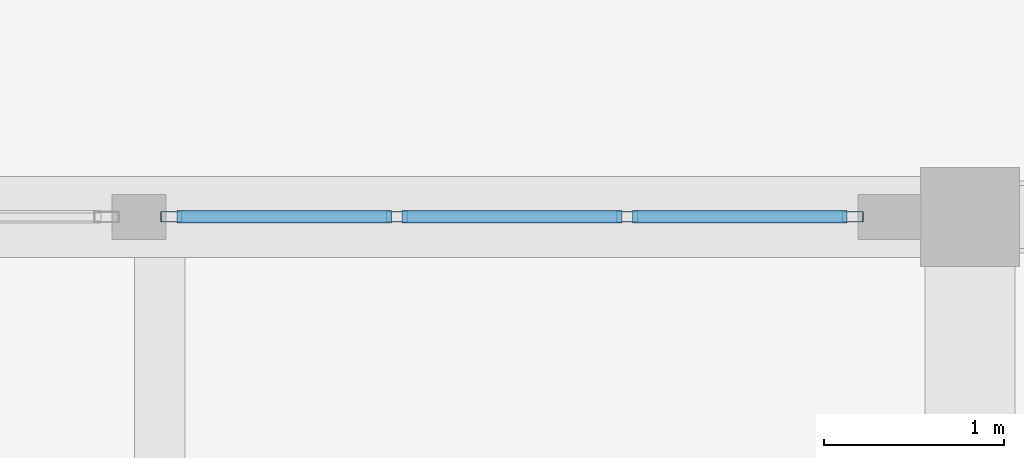
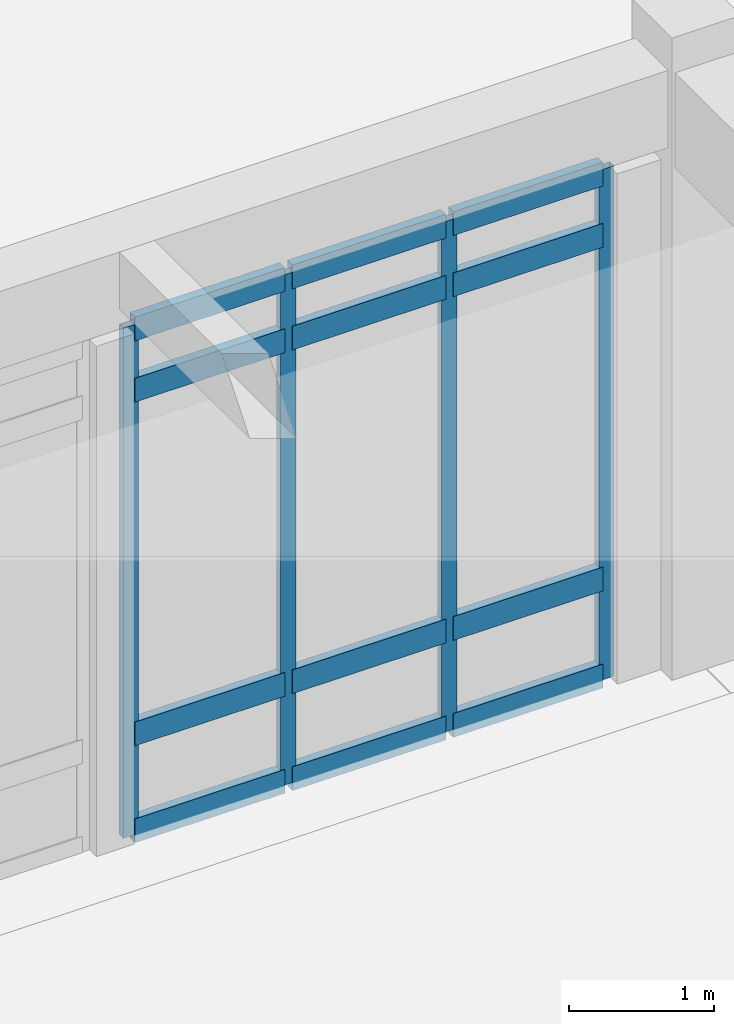
# One storey, part 21 of 138: 16 members, 1 element without a shape of its own.
"""IFC4 building model written with IfcOpenShell, lengths in metres."""

import ifcopenshell
import ifcopenshell.guid

model = None  # the IFC model being written
_history = None  # IfcOwnerHistory: only IFC2X3 demands one
_inside = {}  # id of a spatial element -> (the spatial element, [elements in it])
_under = {}  # id of a project, library or spatial element -> (it, [spatial elements below it])
_declared = {}  # id of a project -> (the project, [libraries it declares])
_typed = {}  # id of a type object -> (the type object, [elements of that type])
_made_of = {}  # id of a material, layer set ... -> (it, [elements and type objects made of it])


def new_model(schema):
    """Start an empty IFC model of exactly this schema.

    Asked for "IFC4X3", IfcOpenShell would pick the latest addendum, in which some entities
    have other attributes; the version numbers below select the first issue.
    IFC2X3 requires an IfcOwnerHistory on every rooted entity: one is made here for all.
    """
    global model, _history
    if schema == "IFC4X3":
        model = ifcopenshell.file(schema_version=(4, 3, 0, 0))
    else:
        model = ifcopenshell.file(schema=schema)
    _inside.clear()
    _under.clear()
    _declared.clear()
    _typed.clear()
    _made_of.clear()
    _history = None
    if model.schema == "IFC2X3":
        org = make("IfcOrganization", Name="unknown")
        user = make(
            "IfcPersonAndOrganization",
            ThePerson=make("IfcPerson", FamilyName="unknown"),
            TheOrganization=org,
        )
        app = make(
            "IfcApplication",
            ApplicationDeveloper=org,
            Version="unknown",
            ApplicationFullName="unknown",
            ApplicationIdentifier="unknown",
        )
        _history = make(
            "IfcOwnerHistory",
            OwningUser=user,
            OwningApplication=app,
            ChangeAction="ADDED",
            CreationDate=0,
        )
    return model


def make(cls, **values):
    """One entity of the class cls with the attributes given. An attribute that is None is left unset."""
    return model.create_entity(
        cls, **{name: value for name, value in values.items() if value is not None}
    )


def rooted(cls, **values):
    """An entity with a GlobalId (a new one), such as an element, a storey or a relation."""
    return make(cls, GlobalId=ifcopenshell.guid.new(), OwnerHistory=_history, **values)


def si_unit(unit_type, name, prefix=None):
    """IfcSIUnit, for example si_unit("LENGTHUNIT", "METRE", prefix="MILLI")."""
    return make("IfcSIUnit", UnitType=unit_type, Prefix=prefix, Name=name)


def assignment(units):
    """IfcUnitAssignment: the units of a project."""
    return None if units is None else make("IfcUnitAssignment", Units=units)


def point(xyz):
    """IfcCartesianPoint."""
    return None if xyz is None else make("IfcCartesianPoint", Coordinates=xyz)


def direction(xyz):
    """IfcDirection."""
    return None if xyz is None else make("IfcDirection", DirectionRatios=xyz)


def frame(location, z_axis=None, x_axis=None):
    """IfcAxis2Placement3D, a coordinate frame: its origin and axes. An axis left out is left unset."""
    return make(
        "IfcAxis2Placement3D",
        Location=point(location),
        Axis=direction(z_axis),
        RefDirection=direction(x_axis),
    )


def frame_2d(location, x_axis=None):
    """IfcAxis2Placement2D, a coordinate frame in the plane: its origin and x axis."""
    return make(
        "IfcAxis2Placement2D", Location=point(location), RefDirection=direction(x_axis)
    )


def origin():
    """The frame at (0, 0, 0) with its axes left unset."""
    return frame((0.0, 0.0, 0.0))


def origin_2d():
    """The frame at (0, 0) in the plane with its x axis left unset."""
    return frame_2d((0.0, 0.0))


def place(relative_to, where):
    """IfcLocalPlacement: puts the frame where relative to a parent placement (None: the world)."""
    return make(
        "IfcLocalPlacement", PlacementRelTo=relative_to, RelativePlacement=where
    )


def context(
    kind, dimensions, precision=None, world=None, true_north=None, identifier=None
):
    """IfcGeometricRepresentationContext, for example the 3D "Model" context."""
    return make(
        "IfcGeometricRepresentationContext",
        ContextIdentifier=identifier,
        ContextType=kind,
        CoordinateSpaceDimension=dimensions,
        Precision=precision,
        WorldCoordinateSystem=world,
        TrueNorth=true_north,
    )


def subcontext(parent, identifier, kind, view, scale=None):
    """IfcGeometricRepresentationSubContext, for example "Body" below "Model"."""
    return make(
        "IfcGeometricRepresentationSubContext",
        ContextIdentifier=identifier,
        ContextType=kind,
        ParentContext=parent,
        TargetScale=scale,
        TargetView=view,
    )


def project(units=None, contexts=None):
    """IfcProject with its units and contexts."""
    return rooted(
        "IfcProject",
        Name="project",
        RepresentationContexts=contexts,
        UnitsInContext=assignment(units),
    )


def spatial(cls, under=None, at=None, **own):
    """A site, building, storey or space (cls), placed at a placement, below another one or the project."""
    s = rooted(cls, ObjectPlacement=at, **own)
    if under is not None:
        _under.setdefault(under.id(), (under, []))[1].append(s)
    return s


def profile(cls, at=None, kind="AREA", **sizes):
    """A parametric profile (cls). Its sizes go by their IFC names, for example OverallWidth=200.0."""
    return make(cls, ProfileType=kind, Position=at, **sizes)


def hollow_rectangle(**sizes):
    """IfcRectangleHollowProfileDef."""
    return profile("IfcRectangleHollowProfileDef", **sizes)


def extrude(swept, where, along, depth):
    """IfcExtrudedAreaSolid: the profile swept, set in the frame where, extruded along a direction by depth."""
    return make(
        "IfcExtrudedAreaSolid",
        SweptArea=swept,
        Position=where,
        ExtrudedDirection=direction(along),
        Depth=depth,
    )


def shape(context_of_items, identifier, shape_type, items):
    """IfcShapeRepresentation: the items that make up one representation, for example the "Body"."""
    return make(
        "IfcShapeRepresentation",
        ContextOfItems=context_of_items,
        RepresentationIdentifier=identifier,
        RepresentationType=shape_type,
        Items=items,
    )


def material(Name=None, Category=None):
    """IfcMaterial."""
    return make("IfcMaterial", Name=Name, Category=Category)


def layer(
    of_material, thickness, ventilated=None, Name=None, Category=None, Priority=None
):
    """IfcMaterialLayer: one layer of a wall or slab, of a material (None: an air gap)."""
    return make(
        "IfcMaterialLayer",
        Material=of_material,
        LayerThickness=thickness,
        IsVentilated=ventilated,
        Name=Name,
        Category=Category,
        Priority=Priority,
    )


def layer_set(layers, Name=None):
    """IfcMaterialLayerSet."""
    return make("IfcMaterialLayerSet", MaterialLayers=layers, LayerSetName=Name)


def material_profile(
    of_material, cross_section, Name=None, Category=None, Priority=None
):
    """IfcMaterialProfile: a cross section and its material."""
    return make(
        "IfcMaterialProfile",
        Name=Name,
        Material=of_material,
        Profile=cross_section,
        Priority=Priority,
        Category=Category,
    )


def profile_set(profiles, Name=None, composite=None):
    """IfcMaterialProfileSet."""
    return make(
        "IfcMaterialProfileSet",
        Name=Name,
        MaterialProfiles=profiles,
        CompositeProfile=composite,
    )


def made_of(thing, what):
    """Note that an element or type object is made of a material, layer set ...; save() writes the relation."""
    if what is not None:
        _made_of.setdefault(what.id(), (what, []))[1].append(thing)
    return thing


def type_object(cls, material=None, **own):
    """A type object (cls), such as IfcWallType, which elements share."""
    return made_of(rooted(cls, **own), material)


def element(
    cls,
    number,
    at=None,
    inside=None,
    cuts=None,
    type_object=None,
    material=None,
    context=None,
    identifier="Body",
    shape_type=None,
    held_by="IfcProductDefinitionShape",
    body=None,
    shapes=None,
    **own,
):
    """One element of the class cls, such as IfcWall. Its Tag is "e" and its number.

    at: its placement. inside: the storey or other place that contains it. cuts: it is an
    opening in that element (IfcRelVoidsElement). A single representation is given by context,
    identifier, shape_type and body (its items); several are given by shapes. held_by: the class
    of the entity that holds the representations. save() writes the other relations.
    """
    e = rooted(cls, Tag="e%d" % number, ObjectPlacement=at, **own)
    if body is not None:
        shapes = [shape(context, identifier, shape_type, body)]
    if shapes is not None:
        e.Representation = make(held_by, Representations=shapes)
    if inside is not None:
        _inside.setdefault(inside.id(), (inside, []))[1].append(e)
    if cuts is not None:
        rooted(
            "IfcRelVoidsElement", RelatingBuildingElement=cuts, RelatedOpeningElement=e
        )
    if type_object is not None:
        _typed.setdefault(type_object.id(), (type_object, []))[1].append(e)
    return made_of(e, material)


def aggregate(whole, parts):
    """IfcRelAggregates: a whole, such as a stair, and the parts it consists of."""
    return rooted("IfcRelAggregates", RelatingObject=whole, RelatedObjects=parts)


def save(model, path):
    """Write the relations noted so far, then the file.

    IfcRelAggregates (storeys below a building ...), IfcRelContainedInSpatialStructure (elements
    in a storey), IfcRelDefinesByType, IfcRelAssociatesMaterial and IfcRelDeclares: one each for
    every whole, place, type object, material and project.
    """
    for whole, parts in _under.values():
        aggregate(whole, parts)
    for where, things in _inside.values():
        rooted(
            "IfcRelContainedInSpatialStructure",
            RelatedElements=things,
            RelatingStructure=where,
        )
    for kind, things in _typed.values():
        rooted("IfcRelDefinesByType", RelatedObjects=things, RelatingType=kind)
    for what, things in _made_of.values():
        rooted("IfcRelAssociatesMaterial", RelatedObjects=things, RelatingMaterial=what)
    for by, libraries in _declared.values():
        rooted("IfcRelDeclares", RelatingContext=by, RelatedDefinitions=libraries)
    model.write(path)


model = new_model("IFC4")

# Units and contexts
model_context = context("Model", 3, precision=1e-05, world=origin(), true_north=direction((0.0, 1.0)))
body_context = subcontext(model_context, "Body", "Model", "MODEL_VIEW")
ifc_project = project(units=[si_unit("LENGTHUNIT", "METRE"), si_unit("AREAUNIT", "SQUARE_METRE"), si_unit("VOLUMEUNIT", "CUBIC_METRE"), si_unit("PLANEANGLEUNIT", "RADIAN"), si_unit("MASSUNIT", "GRAM", prefix="KILO")], contexts=[model_context])

# Site, building, storey
site_placement = place(None, origin())
site = spatial("IfcSite", under=ifc_project, at=site_placement, CompositionType="ELEMENT")
building_placement = place(site_placement, origin())
building = spatial("IfcBuilding", under=site, at=building_placement, Name="Fikremerkos Civic Library", CompositionType="ELEMENT")
storey_placement = place(building_placement, origin())
storey = spatial("IfcBuildingStorey", under=building, at=storey_placement, Name="L00", CompositionType="ELEMENT", Elevation=0.0)

# Curtain wall, members
ifc_material = material(Name="Anodized aluminium Frame", Category="aluminium")
ifc_layer = layer(ifc_material, 0.159912109375, Name="Anodized aluminium Frame")
ifc_layer_set = layer_set([ifc_layer], Name="Anodized aluminium Frame")
curtain_wall_type = type_object("IfcCurtainWallType", Name="Unitised curtain wall CW-16 3100x4100", PredefinedType="USERDEFINED", material=ifc_layer_set)
curtain_wall_placement = place(storey_placement, origin())
curtain_wall = element("IfcCurtainWall", 1, at=curtain_wall_placement, inside=storey, type_object=curtain_wall_type, Name="Unitised curtain wall CW-16 L00 #16", ObjectType="UNITISED CURTAIN WALL", PredefinedType="USERDEFINED")
ifc_material_profile_1 = material_profile(ifc_material, hollow_rectangle(XDim=0.06005859375, YDim=0.1201171875, WallThickness=0.00390625, at=origin_2d()), Name="ALU 120x60x4")
ifc_profile_set_1 = profile_set([ifc_material_profile_1], Name="Anodized aluminium Frame")
member_type_1 = type_object("IfcMemberType", Name="Curtain mullion CWM-04 ALU 120x60x4", PredefinedType="MULLION", material=ifc_profile_set_1)
member_1_placement = place(storey_placement, frame((68.763916015625, 48.0, 0.0), z_axis=(0.0, 0.0, 1.0), x_axis=(0.0, 1.0, 0.0)))
member_1 = element("IfcMember", 2, at=member_1_placement, type_object=member_type_1, Name="CW-16 mullion 1", PredefinedType="MULLION", context=body_context, shape_type="SweptSolid", body=[
    extrude(hollow_rectangle(XDim=0.06005859375, YDim=0.1201171875, WallThickness=0.00390625, at=origin_2d()), origin(), (0.0, 0.0, 1.0), 4.2900390625),
])
member_2_placement = place(storey_placement, frame((70.014892578125, 48.0, 0.0), z_axis=(0.0, 0.0, 1.0), x_axis=(0.0, 1.0, 0.0)))
member_2 = element("IfcMember", 3, at=member_2_placement, type_object=member_type_1, Name="CW-16 mullion 2", PredefinedType="MULLION", context=body_context, shape_type="SweptSolid", body=[
    extrude(hollow_rectangle(XDim=0.06005859375, YDim=0.1201171875, WallThickness=0.00390625, at=origin_2d()), origin(), (0.0, 0.0, 1.0), 4.2900390625),
])
member_3_placement = place(storey_placement, frame((71.2958984375, 48.0, 0.0), z_axis=(0.0, 0.0, 1.0), x_axis=(0.0, 1.0, 0.0)))
member_3 = element("IfcMember", 4, at=member_3_placement, type_object=member_type_1, Name="CW-16 mullion 3", PredefinedType="MULLION", context=body_context, shape_type="SweptSolid", body=[
    extrude(hollow_rectangle(XDim=0.06005859375, YDim=0.1201171875, WallThickness=0.00390625, at=origin_2d()), origin(), (0.0, 0.0, 1.0), 4.2900390625),
])
member_4_placement = place(storey_placement, frame((72.547119140625, 48.0, 0.0), z_axis=(0.0, 0.0, 1.0), x_axis=(0.0, 1.0, 0.0)))
member_4 = element("IfcMember", 5, at=member_4_placement, type_object=member_type_1, Name="CW-16 mullion 4", PredefinedType="MULLION", context=body_context, shape_type="SweptSolid", body=[
    extrude(hollow_rectangle(XDim=0.06005859375, YDim=0.1201171875, WallThickness=0.00390625, at=origin_2d()), origin(), (0.0, 0.0, 1.0), 4.2900390625),
])
ifc_material_profile_2 = material_profile(ifc_material, hollow_rectangle(XDim=0.070068359375, YDim=0.199951171875, WallThickness=0.0048828125, at=origin_2d()), Name="ALU 200x70x5")
ifc_profile_set_2 = profile_set([ifc_material_profile_2], Name="Anodized aluminium Frame")
member_type_2 = type_object("IfcMemberType", Name="Curtain transom CWT-04 ALU 200x70x5", PredefinedType="USERDEFINED", material=ifc_profile_set_2)
member_5_placement = place(storey_placement, frame((68.7939453125, 48.0, 0.034912109375), z_axis=(1.0, 0.0, 0.0), x_axis=(0.0, 1.0, 0.0)))
member_5 = element("IfcMember", 6, at=member_5_placement, type_object=member_type_2, Name="CW-16 transom 1.1", ObjectType="TRANSOM", PredefinedType="USERDEFINED", context=body_context, shape_type="SweptSolid", body=[
    extrude(hollow_rectangle(XDim=0.070068359375, YDim=0.199951171875, WallThickness=0.0048828125, at=origin_2d()), origin(), (0.0, 0.0, 1.0), 1.191162109375),
])
member_6_placement = place(storey_placement, frame((68.7939453125, 48.0, 0.85009765625), z_axis=(1.0, 0.0, 0.0), x_axis=(0.0, 1.0, 0.0)))
member_6 = element("IfcMember", 7, at=member_6_placement, type_object=member_type_2, Name="CW-16 transom 1.2", ObjectType="TRANSOM", PredefinedType="USERDEFINED", context=body_context, shape_type="SweptSolid", body=[
    extrude(hollow_rectangle(XDim=0.070068359375, YDim=0.199951171875, WallThickness=0.0048828125, at=origin_2d()), origin(), (0.0, 0.0, 1.0), 1.191162109375),
])
member_7_placement = place(storey_placement, frame((68.7939453125, 48.0, 3.739990234375), z_axis=(1.0, 0.0, 0.0), x_axis=(0.0, 1.0, 0.0)))
member_7 = element("IfcMember", 8, at=member_7_placement, type_object=member_type_2, Name="CW-16 transom 1.3", ObjectType="TRANSOM", PredefinedType="USERDEFINED", context=body_context, shape_type="SweptSolid", body=[
    extrude(hollow_rectangle(XDim=0.070068359375, YDim=0.199951171875, WallThickness=0.0048828125, at=origin_2d()), origin(), (0.0, 0.0, 1.0), 1.191162109375),
])
member_8_placement = place(storey_placement, frame((68.7939453125, 48.0, 4.2548828125), z_axis=(1.0, 0.0, 0.0), x_axis=(0.0, 1.0, 0.0)))
member_8 = element("IfcMember", 9, at=member_8_placement, type_object=member_type_2, Name="CW-16 transom 1.4", ObjectType="TRANSOM", PredefinedType="USERDEFINED", context=body_context, shape_type="SweptSolid", body=[
    extrude(hollow_rectangle(XDim=0.070068359375, YDim=0.199951171875, WallThickness=0.0048828125, at=origin_2d()), origin(), (0.0, 0.0, 1.0), 1.191162109375),
])
member_9_placement = place(storey_placement, frame((70.044921875, 48.0, 0.034912109375), z_axis=(1.0, 0.0, 0.0), x_axis=(0.0, 1.0, 0.0)))
member_9 = element("IfcMember", 10, at=member_9_placement, type_object=member_type_2, Name="CW-16 transom 2.1", ObjectType="TRANSOM", PredefinedType="USERDEFINED", context=body_context, shape_type="SweptSolid", body=[
    extrude(hollow_rectangle(XDim=0.070068359375, YDim=0.199951171875, WallThickness=0.0048828125, at=origin_2d()), origin(), (0.0, 0.0, 1.0), 1.22119140625),
])
member_10_placement = place(storey_placement, frame((70.044921875, 48.0, 0.85009765625), z_axis=(1.0, 0.0, 0.0), x_axis=(0.0, 1.0, 0.0)))
member_10 = element("IfcMember", 11, at=member_10_placement, type_object=member_type_2, Name="CW-16 transom 2.2", ObjectType="TRANSOM", PredefinedType="USERDEFINED", context=body_context, shape_type="SweptSolid", body=[
    extrude(hollow_rectangle(XDim=0.070068359375, YDim=0.199951171875, WallThickness=0.0048828125, at=origin_2d()), origin(), (0.0, 0.0, 1.0), 1.22119140625),
])
member_11_placement = place(storey_placement, frame((70.044921875, 48.0, 3.739990234375), z_axis=(1.0, 0.0, 0.0), x_axis=(0.0, 1.0, 0.0)))
member_11 = element("IfcMember", 12, at=member_11_placement, type_object=member_type_2, Name="CW-16 transom 2.3", ObjectType="TRANSOM", PredefinedType="USERDEFINED", context=body_context, shape_type="SweptSolid", body=[
    extrude(hollow_rectangle(XDim=0.070068359375, YDim=0.199951171875, WallThickness=0.0048828125, at=origin_2d()), origin(), (0.0, 0.0, 1.0), 1.22119140625),
])
member_12_placement = place(storey_placement, frame((70.044921875, 48.0, 4.2548828125), z_axis=(1.0, 0.0, 0.0), x_axis=(0.0, 1.0, 0.0)))
member_12 = element("IfcMember", 13, at=member_12_placement, type_object=member_type_2, Name="CW-16 transom 2.4", ObjectType="TRANSOM", PredefinedType="USERDEFINED", context=body_context, shape_type="SweptSolid", body=[
    extrude(hollow_rectangle(XDim=0.070068359375, YDim=0.199951171875, WallThickness=0.0048828125, at=origin_2d()), origin(), (0.0, 0.0, 1.0), 1.22119140625),
])
member_13_placement = place(storey_placement, frame((71.325927734375, 48.0, 0.034912109375), z_axis=(1.0, 0.0, 0.0), x_axis=(0.0, 1.0, 0.0)))
member_13 = element("IfcMember", 14, at=member_13_placement, type_object=member_type_2, Name="CW-16 transom 3.1", ObjectType="TRANSOM", PredefinedType="USERDEFINED", context=body_context, shape_type="SweptSolid", body=[
    extrude(hollow_rectangle(XDim=0.070068359375, YDim=0.199951171875, WallThickness=0.0048828125, at=origin_2d()), origin(), (0.0, 0.0, 1.0), 1.191162109375),
])
member_14_placement = place(storey_placement, frame((71.325927734375, 48.0, 0.85009765625), z_axis=(1.0, 0.0, 0.0), x_axis=(0.0, 1.0, 0.0)))
member_14 = element("IfcMember", 15, at=member_14_placement, type_object=member_type_2, Name="CW-16 transom 3.2", ObjectType="TRANSOM", PredefinedType="USERDEFINED", context=body_context, shape_type="SweptSolid", body=[
    extrude(hollow_rectangle(XDim=0.070068359375, YDim=0.199951171875, WallThickness=0.0048828125, at=origin_2d()), origin(), (0.0, 0.0, 1.0), 1.191162109375),
])
member_15_placement = place(storey_placement, frame((71.325927734375, 48.0, 3.739990234375), z_axis=(1.0, 0.0, 0.0), x_axis=(0.0, 1.0, 0.0)))
member_15 = element("IfcMember", 16, at=member_15_placement, type_object=member_type_2, Name="CW-16 transom 3.3", ObjectType="TRANSOM", PredefinedType="USERDEFINED", context=body_context, shape_type="SweptSolid", body=[
    extrude(hollow_rectangle(XDim=0.070068359375, YDim=0.199951171875, WallThickness=0.0048828125, at=origin_2d()), origin(), (0.0, 0.0, 1.0), 1.191162109375),
])
member_16_placement = place(storey_placement, frame((71.325927734375, 48.0, 4.2548828125), z_axis=(1.0, 0.0, 0.0), x_axis=(0.0, 1.0, 0.0)))
member_16 = element("IfcMember", 17, at=member_16_placement, type_object=member_type_2, Name="CW-16 transom 3.4", ObjectType="TRANSOM", PredefinedType="USERDEFINED", context=body_context, shape_type="SweptSolid", body=[
    extrude(hollow_rectangle(XDim=0.070068359375, YDim=0.199951171875, WallThickness=0.0048828125, at=origin_2d()), origin(), (0.0, 0.0, 1.0), 1.191162109375),
])
aggregate(curtain_wall, [member_1, member_2, member_3, member_4, member_5, member_6, member_7, member_8, member_9, member_10, member_11, member_12, member_13, member_14, member_15, member_16])

save(model, "model.ifc")
